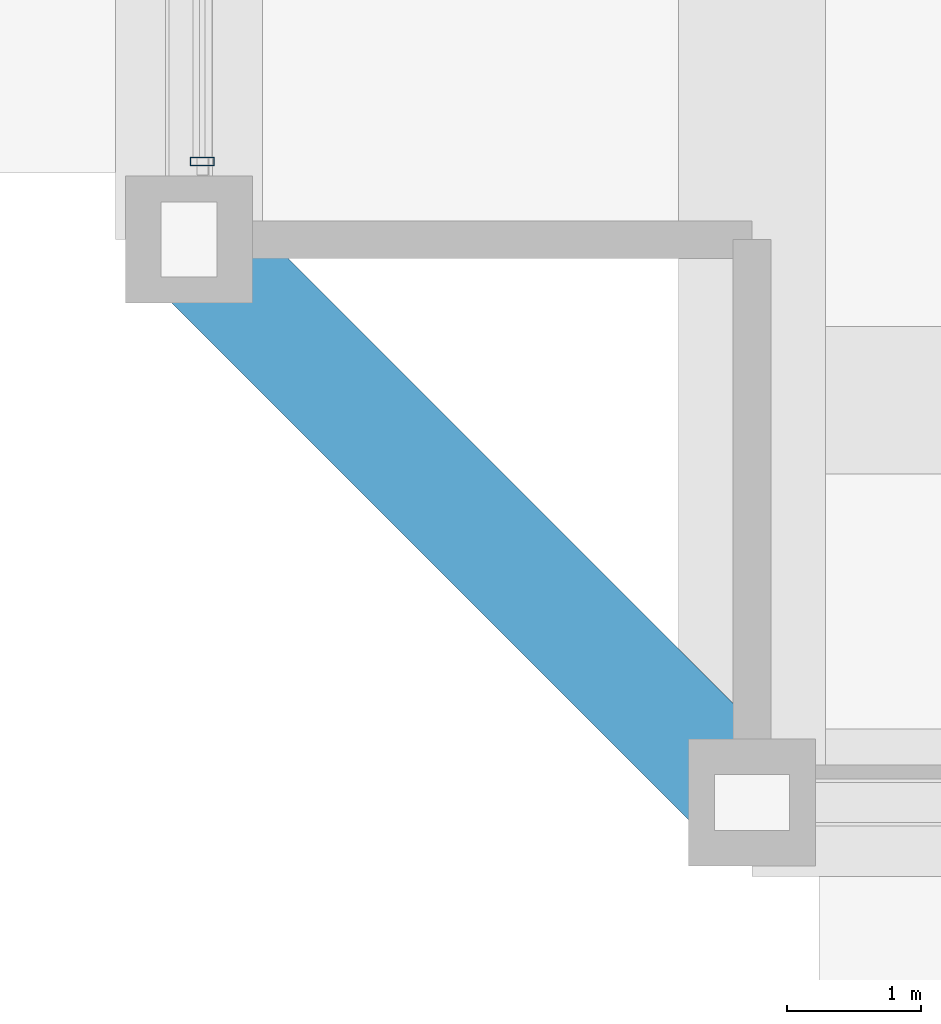
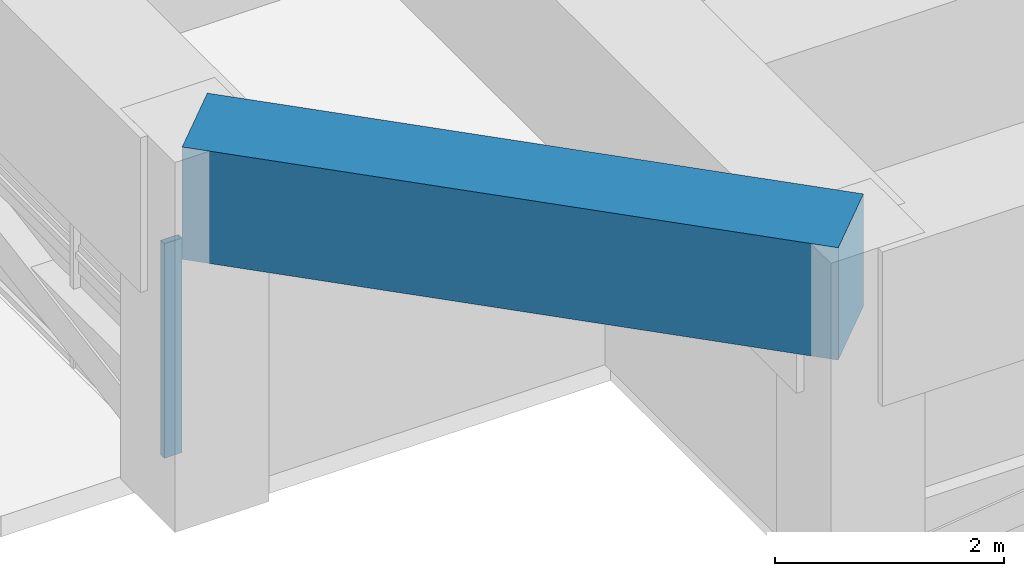
# One storey, part 2 of 35: 1 beam, 1 member, 1 element without a shape of its own.
"""IFC4 building model written with IfcOpenShell, lengths in metres."""

from ifc_helpers import new_model, si_unit, direction, frame, origin, origin_2d, place, context, subcontext, project, spatial, rectangle, hollow_rectangle, extrude, source, transform, mapped, material, layer, layer_set, material_profile, profile_set, type_object, element, aggregate, save


model = new_model("IFC4")

# Units and contexts
model_context = context("Model", 3, precision=1e-05, world=origin(), true_north=direction((0.0, 1.0)))
body_context = subcontext(model_context, "Body", "Model", "MODEL_VIEW")
ifc_project = project(units=[si_unit("LENGTHUNIT", "METRE"), si_unit("AREAUNIT", "SQUARE_METRE"), si_unit("VOLUMEUNIT", "CUBIC_METRE"), si_unit("PLANEANGLEUNIT", "RADIAN"), si_unit("MASSUNIT", "GRAM", prefix="KILO")], contexts=[model_context])

# Site, building, storey
site_placement = place(None, origin())
site = spatial("IfcSite", under=ifc_project, at=site_placement, CompositionType="ELEMENT")
building_placement = place(site_placement, origin())
building = spatial("IfcBuilding", under=site, at=building_placement, Name="Saelheon Loggia Tower", CompositionType="ELEMENT")
storey_placement = place(building_placement, frame((0.0, 0.0, 144.75)))
storey = spatial("IfcBuildingStorey", under=building, at=storey_placement, Name="L46", CompositionType="ELEMENT", Elevation=144.75)

# Beam
ifc_material_1 = material(Name="Concrete C50/60", Category="concrete")
ifc_material_profile_1 = material_profile(ifc_material_1, rectangle(XDim=0.85009765625, YDim=1.199951171875, at=origin_2d()), Name="RC-850x1200")
ifc_profile_set_1 = profile_set([ifc_material_profile_1], Name="Concrete C50/60")
beam_type = type_object("IfcBeamType", Name="Beam_CornerShoulder_RC850x1200", PredefinedType="BEAM", material=ifc_profile_set_1)
shared_shape_1 = source(origin(), body_context, "Body", "SweptSolid", [
    extrude(rectangle(XDim=0.85009765625, YDim=1.199951171875, at=origin_2d()), origin(), (0.0, 0.0, 1.0), 5.939697265625),
])
beam_placement = place(storey_placement, frame((12.0, 7.199951171875, 3.35009765625), z_axis=(0.707106781187, -0.707106781187, 0.0), x_axis=(0.707106781187, 0.707106781187, 0.0)))
element("IfcBeam", 1, at=beam_placement, inside=storey, type_object=beam_type, Name="L46 Corner Shoulder Beam 16", PredefinedType="BEAM", context=body_context, shape_type="MappedRepresentation", body=[
    mapped(shared_shape_1, transform((0.0, 0.0, 0.0), scale=1.0)),
])

# Curtain wall, member
ifc_material_2 = material(Name="Anodised Aluminium Acoustic Louvre Curtain Wall", Category="aluminium")
ifc_layer = layer(ifc_material_2, 0.179931640625)
ifc_layer_set = layer_set([ifc_layer], Name="Anodised Aluminium Acoustic Louvre Curtain Wall")
curtain_wall_type = type_object("IfcCurtainWallType", Name="CW_RefugeAcoustic", PredefinedType="NOTDEFINED", material=ifc_layer_set)
curtain_wall_placement = place(storey_placement, origin())
curtain_wall = element("IfcCurtainWall", 2, at=curtain_wall_placement, inside=storey, type_object=curtain_wall_type, Name="L46 W Refuge Acoustic Curtain Wall 1", PredefinedType="NOTDEFINED")
ifc_material_3 = material(Name="Anodised Aluminium 6063-T6", Category="aluminium")
ifc_material_profile_2 = material_profile(ifc_material_3, hollow_rectangle(XDim=0.06494140625, YDim=0.179931640625, WallThickness=0.00390625, at=origin_2d()), Name="RHS-180x65x4")
ifc_profile_set_2 = profile_set([ifc_material_profile_2], Name="Anodised Aluminium 6063-T6")
member_type = type_object("IfcMemberType", Name="CW_RefugeAcoustic_Mullion", PredefinedType="MULLION", material=ifc_profile_set_2)
shared_shape_2 = source(origin(), body_context, "Body", "SweptSolid", [
    extrude(hollow_rectangle(XDim=0.06494140625, YDim=0.179931640625, WallThickness=0.00390625, at=origin_2d()), origin(), (0.0, 0.0, 1.0), 2.2900390625),
])
member_placement = place(storey_placement, frame((12.10009765625, 7.782470703125, 0.0), z_axis=(0.0, 0.0, 1.0), x_axis=(0.0, 1.0, 0.0)))
member = element("IfcMember", 3, at=member_placement, type_object=member_type, Name="CW5 mullion 1", PredefinedType="MULLION", context=body_context, shape_type="MappedRepresentation", body=[
    mapped(shared_shape_2, transform((0.0, 0.0, 0.0), scale=1.0)),
])
aggregate(curtain_wall, [member])

save(model, "model.ifc")
